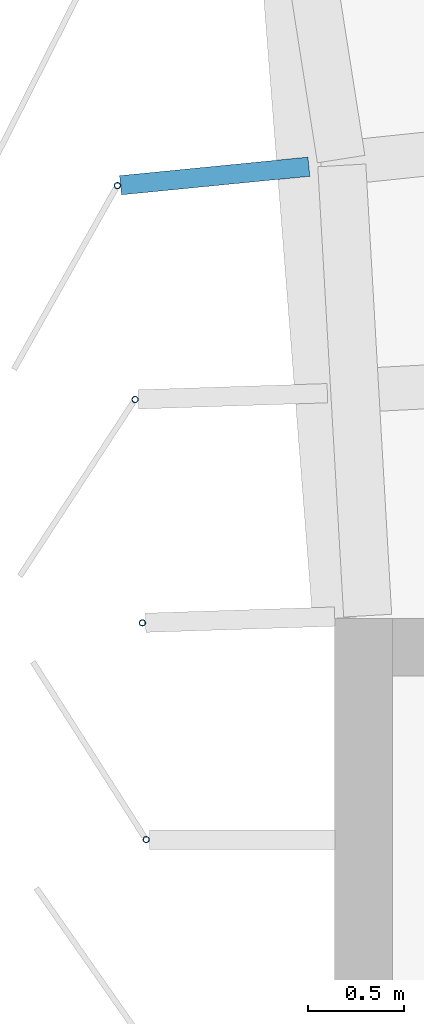
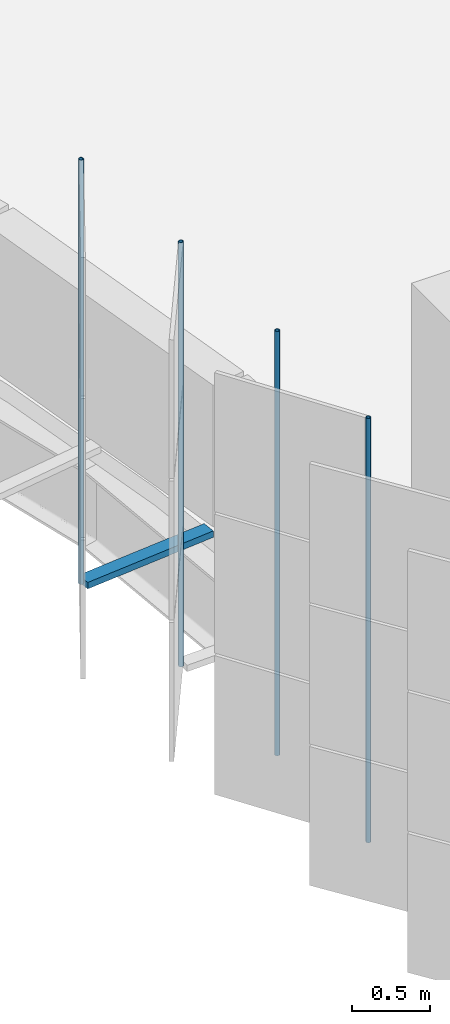
# One storey, part 103 of 199: 5 discrete accessories.
"""IFC4 building model written with IfcOpenShell, lengths in metres."""

from ifc_helpers import new_model, si_unit, direction, frame, origin, origin_2d, place, context, subcontext, project, spatial, rectangle, hollow_circle, extrude, material, material_profile, profile_set, type_object, element, save


model = new_model("IFC4")

# Units and contexts
model_context = context("Model", 3, precision=1e-05, world=origin(), true_north=direction((0.0, 1.0)))
body_context = subcontext(model_context, "Body", "Model", "MODEL_VIEW")
ifc_project = project(units=[si_unit("LENGTHUNIT", "METRE"), si_unit("AREAUNIT", "SQUARE_METRE"), si_unit("VOLUMEUNIT", "CUBIC_METRE"), si_unit("PLANEANGLEUNIT", "RADIAN"), si_unit("MASSUNIT", "GRAM", prefix="KILO")], contexts=[model_context])

# Site, building, storey
site_placement = place(None, origin())
site = spatial("IfcSite", under=ifc_project, at=site_placement, CompositionType="ELEMENT")
building_placement = place(site_placement, origin())
building = spatial("IfcBuilding", under=site, at=building_placement, Name="Parallax Yard Mobility Hub", CompositionType="ELEMENT")
storey_placement = place(building_placement, frame((0.0, 0.0, 9.89990234375)))
storey = spatial("IfcBuildingStorey", under=building, at=storey_placement, Name="L03", CompositionType="ELEMENT", Elevation=9.89990234375)

# Discrete accessories
ifc_material_1 = material(Name="Steel ASTM A36, hot-dip galvanised", Category="steel")
discrete_accessory_type_1 = type_object("IfcDiscreteAccessoryType", Name="Hinge bracket plate 100x50", PredefinedType="BRACKET", material=ifc_material_1)
discrete_accessory_placement = place(storey_placement, frame((194.376220703125, 92.300537109375, -0.02490234375), z_axis=(0.0, 0.0, 1.0), x_axis=(-0.995184726672, -0.09801714033, 0.0)))
element("IfcDiscreteAccessory", 1, at=discrete_accessory_placement, inside=storey, type_object=discrete_accessory_type_1, Name="Hinge bracket plate bay 22.5 level L03", PredefinedType="BRACKET", context=body_context, shape_type="SweptSolid", body=[
    extrude(rectangle(XDim=0.984130859375, YDim=0.10009765625, at=origin_2d()), origin(), (0.0, 0.0, 1.0), 0.050048828125),
])
ifc_material_2 = material(Name="Steel ASTM A500 Gr C, hot-dip galvanised", Category="steel")
ifc_material_profile = material_profile(ifc_material_2, hollow_circle(Radius=0.016845703125, WallThickness=0.003173828125, at=origin_2d()), Name="CHS 33.7x3.2")
ifc_profile_set = profile_set([ifc_material_profile], Name="Steel ASTM A500 Gr C, hot-dip galvanised")
discrete_accessory_type_2 = type_object("IfcDiscreteAccessoryType", Name="Hinge post CHS 33.7x3.2", PredefinedType="BRACKET", material=ifc_profile_set)
for number, where, z_axis, x_axis, name in (
    (2, (193.870361328125, 92.25048828125, 0.0), (0.0, 0.0, 1.0), (1.0, 0.0, 0.0), "Hinge post bay 22.5 level L03"),
    (3, (193.962158203125, 91.138427734375, 0.0), (0.0, 0.0, 1.0), (1.0, 0.0, 0.0), "Hinge post bay 22.6 level L03"),
    (4, (194.000244140625, 89.976806640625, 0.0), (0.0, 0.0, 1.0), (1.0, 0.0, 0.0), "Hinge post bay 23.1 level L03"),
    (5, (194.019775390625, 88.849609375, 0.0), (0.0, 0.0, 1.0), (1.0, 0.0, 0.0), "Hinge post bay 23.2 level L03"),
):
    element("IfcDiscreteAccessory", number, at=place(storey_placement, frame(where, z_axis=z_axis, x_axis=x_axis)), inside=storey, type_object=discrete_accessory_type_2, Name=name, PredefinedType="BRACKET", context=body_context, shape_type="SweptSolid", body=[
        extrude(hollow_circle(Radius=0.016845703125, WallThickness=0.003173828125, at=origin_2d()), origin(), (0.0, 0.0, 1.0), 3.300048828125),
    ])

save(model, "model.ifc")
